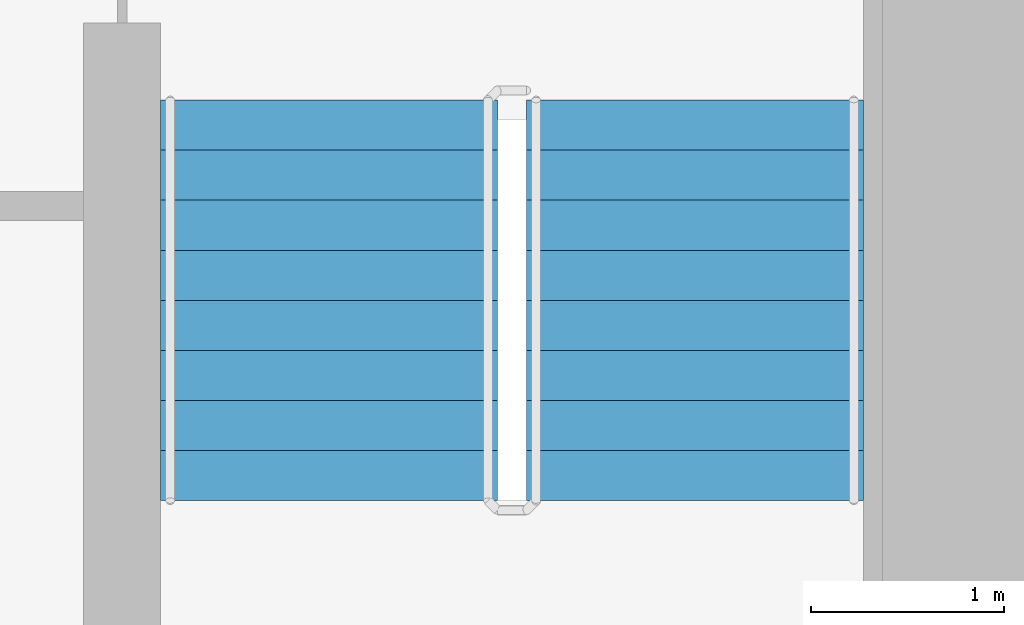
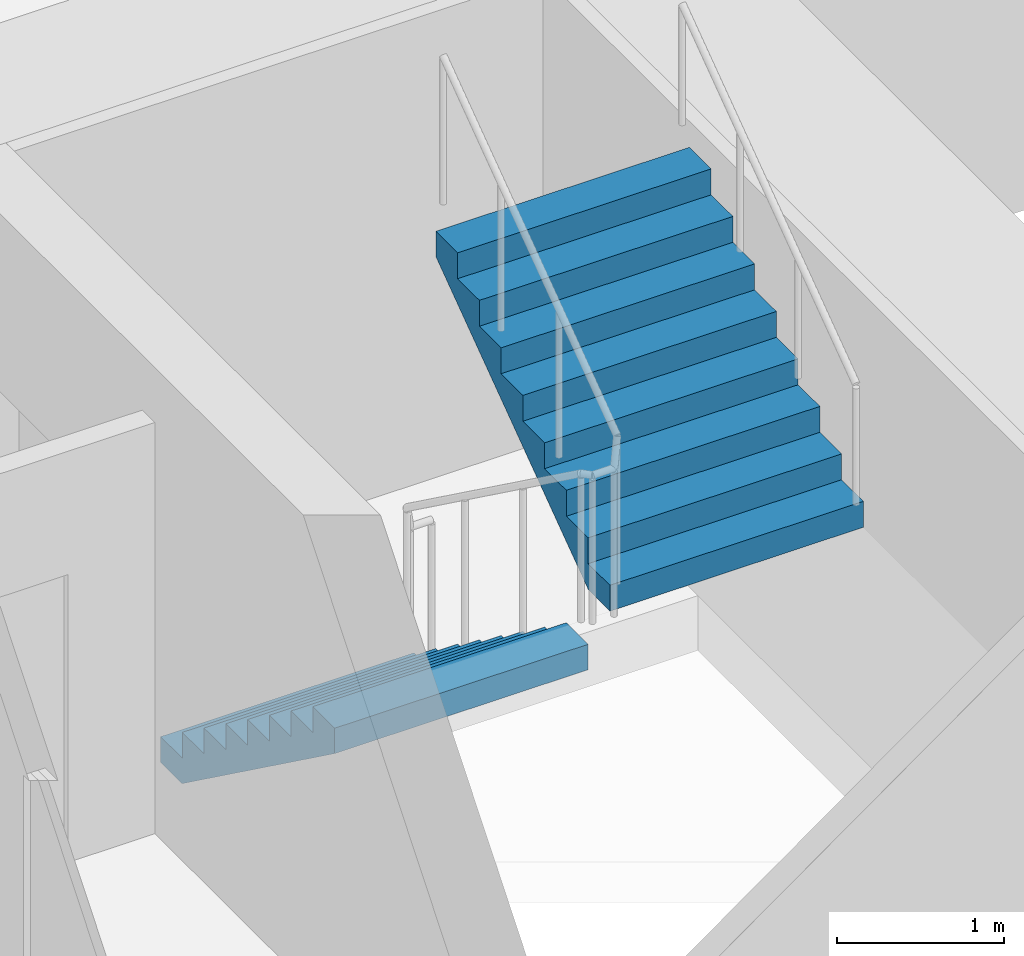
# One storey, part 19 of 22: 2 stair flights, 1 element without a shape of its own.
"""IFC4 building model written with IfcOpenShell, lengths in metres."""

from ifc_helpers import new_model, si_unit, direction, frame, origin, place, context, subcontext, project, spatial, faceted_brep, material, type_object, element, aggregate, save


model = new_model("IFC4")

# Units and contexts
model_context = context("Model", 3, precision=1e-05, world=origin(), true_north=direction((0.0, 1.0)))
body_context = subcontext(model_context, "Body", "Model", "MODEL_VIEW")
ifc_project = project(units=[si_unit("LENGTHUNIT", "METRE"), si_unit("AREAUNIT", "SQUARE_METRE"), si_unit("VOLUMEUNIT", "CUBIC_METRE"), si_unit("PLANEANGLEUNIT", "RADIAN"), si_unit("MASSUNIT", "GRAM", prefix="KILO")], contexts=[model_context])

# Site, building, storey
site_placement = place(None, origin())
site = spatial("IfcSite", under=ifc_project, at=site_placement, CompositionType="ELEMENT")
building_placement = place(site_placement, origin())
building = spatial("IfcBuilding", under=site, at=building_placement, Name="Ipe Terrace Towers", CompositionType="ELEMENT")
storey_placement = place(building_placement, frame((0.0, 0.0, 61.89990234375)))
storey = spatial("IfcBuildingStorey", under=building, at=storey_placement, Name="L16", CompositionType="ELEMENT", Elevation=61.89990234375)

# Stair, stair flights
ifc_material_1 = material(Name="Concrete C30/37", Category="concrete")
stair_type = type_object("IfcStairType", Name="Protected exit stair", PredefinedType="HALF_TURN_STAIR", material=ifc_material_1)
stair_placement = place(storey_placement, origin())
stair = element("IfcStair", 1, at=stair_placement, inside=storey, type_object=stair_type, Name="L16 Exit stair T2-C2", PredefinedType="HALF_TURN_STAIR")
ifc_material_2 = material(Name="Concrete C30/37", Category="concrete")
stair_flight_type = type_object("IfcStairFlightType", Name="Exit stair flight 1750", PredefinedType="STRAIGHT", material=ifc_material_2)
stair_flight_1_placement = place(storey_placement, frame((38.77490234375, -9.699951171875, 0.0), z_axis=(0.0, 0.0, 1.0), x_axis=(0.0, -1.0, 0.0)))
stair_flight_1 = element("IfcStairFlight", 2, at=stair_flight_1_placement, type_object=stair_flight_type, Name="T2-ST2 flight 1", NumberOfRisers=9, NumberOfTreads=8, PredefinedType="STRAIGHT", RiserHeight=0.188888889, TreadLength=0.26, context=body_context, shape_type="Brep", body=[
    faceted_brep([(0.255126953125, -0.875, 0.0), (2.080078125, -0.875, 1.325927734375), (2.080078125, -0.875, 1.51123046875), (1.820068359375, -0.875, 1.51123046875), (1.820068359375, -0.875, 1.322265625), (1.56005859375, -0.875, 1.322265625), (1.56005859375, -0.875, 1.13330078125), (1.300048828125, -0.875, 1.13330078125), (1.300048828125, -0.875, 0.9443359375), (1.0400390625, -0.875, 0.9443359375), (1.0400390625, -0.875, 0.755615234375), (0.780029296875, -0.875, 0.755615234375), (0.780029296875, -0.875, 0.566650390625), (0.52001953125, -0.875, 0.566650390625), (0.52001953125, -0.875, 0.377685546875), (0.260009765625, -0.875, 0.377685546875), (0.260009765625, -0.875, 0.18896484375), (0.0, -0.875, 0.18896484375), (0.0, -0.875, 0.0), (0.0, 0.875, 0.0), (0.0, 0.875, 0.18896484375), (0.260009765625, 0.875, 0.18896484375), (0.260009765625, 0.875, 0.377685546875), (0.52001953125, 0.875, 0.377685546875), (0.52001953125, 0.875, 0.566650390625), (0.780029296875, 0.875, 0.566650390625), (0.780029296875, 0.875, 0.755615234375), (1.0400390625, 0.875, 0.755615234375), (1.0400390625, 0.875, 0.9443359375), (1.300048828125, 0.875, 0.9443359375), (1.300048828125, 0.875, 1.13330078125), (1.56005859375, 0.875, 1.13330078125), (1.56005859375, 0.875, 1.322265625), (1.820068359375, 0.875, 1.322265625), (1.820068359375, 0.875, 1.51123046875), (2.080078125, 0.875, 1.51123046875), (2.080078125, 0.875, 1.325927734375), (0.255126953125, 0.875, 0.0), (0.0, -0.300048828125, 0.18896484375), (0.0, -0.1201171875, 0.18896484375), (0.0, -0.06005859375, 0.18896484375), (0.0, -0.030029296875, 0.18896484375), (0.0, -0.010009765625, 0.18896484375), (0.0, 0.0, 0.18896484375), (0.0, 0.010009765625, 0.18896484375), (0.0, 0.030029296875, 0.18896484375), (0.0, 0.06005859375, 0.18896484375), (0.0, 0.1201171875, 0.18896484375), (0.0, 0.300048828125, 0.18896484375), (0.0, 0.300048828125, 0.0), (0.0, 0.1201171875, 0.0), (0.0, 0.06005859375, 0.0), (0.0, 0.030029296875, 0.0), (0.0, 0.010009765625, 0.0), (0.0, 0.0, 0.0), (0.0, -0.010009765625, 0.0), (0.0, -0.030029296875, 0.0), (0.0, -0.06005859375, 0.0), (0.0, -0.1201171875, 0.0), (0.0, -0.300048828125, 0.0), (0.260009765625, -0.300048828125, 0.18896484375), (0.260009765625, -0.1201171875, 0.18896484375), (0.260009765625, -0.06005859375, 0.18896484375), (0.260009765625, -0.030029296875, 0.18896484375), (0.260009765625, -0.010009765625, 0.18896484375), (0.260009765625, 0.0, 0.18896484375), (0.260009765625, 0.010009765625, 0.18896484375), (0.260009765625, 0.030029296875, 0.18896484375), (0.260009765625, 0.06005859375, 0.18896484375), (0.260009765625, 0.1201171875, 0.18896484375), (0.260009765625, 0.300048828125, 0.18896484375), (0.260009765625, -0.300048828125, 0.377685546875), (0.260009765625, -0.1201171875, 0.377685546875), (0.260009765625, -0.06005859375, 0.377685546875), (0.260009765625, -0.030029296875, 0.377685546875), (0.260009765625, -0.010009765625, 0.377685546875), (0.260009765625, 0.0, 0.377685546875), (0.260009765625, 0.010009765625, 0.377685546875), (0.260009765625, 0.030029296875, 0.377685546875), (0.260009765625, 0.06005859375, 0.377685546875), (0.260009765625, 0.1201171875, 0.377685546875), (0.260009765625, 0.300048828125, 0.377685546875), (0.52001953125, -0.300048828125, 0.377685546875), (0.52001953125, -0.1201171875, 0.377685546875), (0.52001953125, -0.06005859375, 0.377685546875), (0.52001953125, -0.030029296875, 0.377685546875), (0.52001953125, -0.010009765625, 0.377685546875), (0.52001953125, 0.0, 0.377685546875), (0.52001953125, 0.010009765625, 0.377685546875), (0.52001953125, 0.030029296875, 0.377685546875), (0.52001953125, 0.06005859375, 0.377685546875), (0.52001953125, 0.1201171875, 0.377685546875), (0.52001953125, 0.300048828125, 0.377685546875), (0.52001953125, -0.300048828125, 0.566650390625), (0.52001953125, -0.1201171875, 0.566650390625), (0.52001953125, -0.06005859375, 0.566650390625), (0.52001953125, -0.030029296875, 0.566650390625), (0.52001953125, -0.010009765625, 0.566650390625), (0.52001953125, 0.0, 0.566650390625), (0.52001953125, 0.010009765625, 0.566650390625), (0.52001953125, 0.030029296875, 0.566650390625), (0.52001953125, 0.06005859375, 0.566650390625), (0.52001953125, 0.1201171875, 0.566650390625), (0.52001953125, 0.300048828125, 0.566650390625), (0.780029296875, -0.300048828125, 0.566650390625), (0.780029296875, -0.1201171875, 0.566650390625), (0.780029296875, -0.06005859375, 0.566650390625), (0.780029296875, -0.030029296875, 0.566650390625), (0.780029296875, -0.010009765625, 0.566650390625), (0.780029296875, 0.0, 0.566650390625), (0.780029296875, 0.010009765625, 0.566650390625), (0.780029296875, 0.030029296875, 0.566650390625), (0.780029296875, 0.06005859375, 0.566650390625), (0.780029296875, 0.1201171875, 0.566650390625), (0.780029296875, 0.300048828125, 0.566650390625), (0.780029296875, -0.300048828125, 0.755615234375), (0.780029296875, -0.1201171875, 0.755615234375), (0.780029296875, -0.06005859375, 0.755615234375), (0.780029296875, -0.030029296875, 0.755615234375), (0.780029296875, -0.010009765625, 0.755615234375), (0.780029296875, 0.0, 0.755615234375), (0.780029296875, 0.010009765625, 0.755615234375), (0.780029296875, 0.030029296875, 0.755615234375), (0.780029296875, 0.06005859375, 0.755615234375), (0.780029296875, 0.1201171875, 0.755615234375), (0.780029296875, 0.300048828125, 0.755615234375), (1.0400390625, -0.300048828125, 0.755615234375), (1.0400390625, -0.1201171875, 0.755615234375), (1.0400390625, -0.06005859375, 0.755615234375), (1.0400390625, -0.030029296875, 0.755615234375), (1.0400390625, -0.010009765625, 0.755615234375), (1.0400390625, 0.0, 0.755615234375), (1.0400390625, 0.010009765625, 0.755615234375), (1.0400390625, 0.030029296875, 0.755615234375), (1.0400390625, 0.06005859375, 0.755615234375), (1.0400390625, 0.1201171875, 0.755615234375), (1.0400390625, 0.300048828125, 0.755615234375), (1.0400390625, -0.300048828125, 0.9443359375), (1.0400390625, -0.1201171875, 0.9443359375), (1.0400390625, -0.06005859375, 0.9443359375), (1.0400390625, -0.030029296875, 0.9443359375), (1.0400390625, -0.010009765625, 0.9443359375), (1.0400390625, 0.0, 0.9443359375), (1.0400390625, 0.010009765625, 0.9443359375), (1.0400390625, 0.030029296875, 0.9443359375), (1.0400390625, 0.06005859375, 0.9443359375), (1.0400390625, 0.1201171875, 0.9443359375), (1.0400390625, 0.300048828125, 0.9443359375), (1.300048828125, -0.300048828125, 0.9443359375), (1.300048828125, -0.1201171875, 0.9443359375), (1.300048828125, -0.06005859375, 0.9443359375), (1.300048828125, -0.030029296875, 0.9443359375), (1.300048828125, -0.010009765625, 0.9443359375), (1.300048828125, 0.0, 0.9443359375), (1.300048828125, 0.010009765625, 0.9443359375), (1.300048828125, 0.030029296875, 0.9443359375), (1.300048828125, 0.06005859375, 0.9443359375), (1.300048828125, 0.1201171875, 0.9443359375), (1.300048828125, 0.300048828125, 0.9443359375), (1.300048828125, -0.300048828125, 1.13330078125), (1.300048828125, -0.1201171875, 1.13330078125), (1.300048828125, -0.06005859375, 1.13330078125), (1.300048828125, -0.030029296875, 1.13330078125), (1.300048828125, -0.010009765625, 1.13330078125), (1.300048828125, 0.0, 1.13330078125), (1.300048828125, 0.010009765625, 1.13330078125), (1.300048828125, 0.030029296875, 1.13330078125), (1.300048828125, 0.06005859375, 1.13330078125), (1.300048828125, 0.1201171875, 1.13330078125), (1.300048828125, 0.300048828125, 1.13330078125), (1.56005859375, -0.300048828125, 1.13330078125), (1.56005859375, -0.1201171875, 1.13330078125), (1.56005859375, -0.06005859375, 1.13330078125), (1.56005859375, -0.030029296875, 1.13330078125), (1.56005859375, -0.010009765625, 1.13330078125), (1.56005859375, 0.0, 1.13330078125), (1.56005859375, 0.010009765625, 1.13330078125), (1.56005859375, 0.030029296875, 1.13330078125), (1.56005859375, 0.06005859375, 1.13330078125), (1.56005859375, 0.1201171875, 1.13330078125), (1.56005859375, 0.300048828125, 1.13330078125), (1.56005859375, -0.300048828125, 1.322265625), (1.56005859375, -0.1201171875, 1.322265625), (1.56005859375, -0.06005859375, 1.322265625), (1.56005859375, -0.030029296875, 1.322265625), (1.56005859375, -0.010009765625, 1.322265625), (1.56005859375, 0.0, 1.322265625), (1.56005859375, 0.010009765625, 1.322265625), (1.56005859375, 0.030029296875, 1.322265625), (1.56005859375, 0.06005859375, 1.322265625), (1.56005859375, 0.1201171875, 1.322265625), (1.56005859375, 0.300048828125, 1.322265625), (1.820068359375, -0.300048828125, 1.322265625), (1.820068359375, -0.1201171875, 1.322265625), (1.820068359375, -0.06005859375, 1.322265625), (1.820068359375, -0.030029296875, 1.322265625), (1.820068359375, -0.010009765625, 1.322265625), (1.820068359375, 0.0, 1.322265625), (1.820068359375, 0.010009765625, 1.322265625), (1.820068359375, 0.030029296875, 1.322265625), (1.820068359375, 0.06005859375, 1.322265625), (1.820068359375, 0.1201171875, 1.322265625), (1.820068359375, 0.300048828125, 1.322265625), (1.820068359375, -0.300048828125, 1.51123046875), (1.820068359375, -0.1201171875, 1.51123046875), (1.820068359375, -0.06005859375, 1.51123046875), (1.820068359375, -0.030029296875, 1.51123046875), (1.820068359375, -0.010009765625, 1.51123046875), (1.820068359375, 0.0, 1.51123046875), (1.820068359375, 0.010009765625, 1.51123046875), (1.820068359375, 0.030029296875, 1.51123046875), (1.820068359375, 0.06005859375, 1.51123046875), (1.820068359375, 0.1201171875, 1.51123046875), (1.820068359375, 0.300048828125, 1.51123046875), (2.080078125, -0.300048828125, 1.51123046875), (2.080078125, -0.1201171875, 1.51123046875), (2.080078125, -0.06005859375, 1.51123046875), (2.080078125, -0.030029296875, 1.51123046875), (2.080078125, -0.010009765625, 1.51123046875), (2.080078125, 0.0, 1.51123046875), (2.080078125, 0.010009765625, 1.51123046875), (2.080078125, 0.030029296875, 1.51123046875), (2.080078125, 0.06005859375, 1.51123046875), (2.080078125, 0.1201171875, 1.51123046875), (2.080078125, 0.300048828125, 1.51123046875), (2.080078125, -0.300048828125, 1.325927734375), (2.080078125, -0.1201171875, 1.325927734375), (2.080078125, -0.06005859375, 1.325927734375), (2.080078125, -0.030029296875, 1.325927734375), (2.080078125, -0.010009765625, 1.325927734375), (2.080078125, 0.0, 1.325927734375), (2.080078125, 0.010009765625, 1.325927734375), (2.080078125, 0.030029296875, 1.325927734375), (2.080078125, 0.06005859375, 1.325927734375), (2.080078125, 0.1201171875, 1.325927734375), (2.080078125, 0.300048828125, 1.325927734375), (0.255126953125, -0.300048828125, 0.0), (0.255126953125, -0.1201171875, 0.0), (0.255126953125, -0.06005859375, 0.0), (0.255126953125, -0.030029296875, 0.0), (0.255126953125, -0.010009765625, 0.0), (0.255126953125, 0.0, 0.0), (0.255126953125, 0.010009765625, 0.0), (0.255126953125, 0.030029296875, 0.0), (0.255126953125, 0.06005859375, 0.0), (0.255126953125, 0.1201171875, 0.0), (0.255126953125, 0.300048828125, 0.0)], [[[0, 1, 2, 3, 4, 5, 6, 7, 8, 9, 10, 11, 12, 13, 14, 15, 16, 17, 18]], [[19, 20, 21, 22, 23, 24, 25, 26, 27, 28, 29, 30, 31, 32, 33, 34, 35, 36, 37]], [[17, 38, 39, 40, 41, 42, 43, 44, 45, 46, 47, 48, 20, 19, 49, 50, 51, 52, 53, 54, 55, 56, 57, 58, 59, 18]], [[16, 60, 61, 62, 63, 64, 65, 66, 67, 68, 69, 70, 21, 20, 48, 47, 46, 45, 44, 43, 42, 41, 40, 39, 38, 17]], [[15, 71, 72, 73, 74, 75, 76, 77, 78, 79, 80, 81, 22, 21, 70, 69, 68, 67, 66, 65, 64, 63, 62, 61, 60, 16]], [[14, 82, 83, 84, 85, 86, 87, 88, 89, 90, 91, 92, 23, 22, 81, 80, 79, 78, 77, 76, 75, 74, 73, 72, 71, 15]], [[13, 93, 94, 95, 96, 97, 98, 99, 100, 101, 102, 103, 24, 23, 92, 91, 90, 89, 88, 87, 86, 85, 84, 83, 82, 14]], [[12, 104, 105, 106, 107, 108, 109, 110, 111, 112, 113, 114, 25, 24, 103, 102, 101, 100, 99, 98, 97, 96, 95, 94, 93, 13]], [[11, 115, 116, 117, 118, 119, 120, 121, 122, 123, 124, 125, 26, 25, 114, 113, 112, 111, 110, 109, 108, 107, 106, 105, 104, 12]], [[10, 126, 127, 128, 129, 130, 131, 132, 133, 134, 135, 136, 27, 26, 125, 124, 123, 122, 121, 120, 119, 118, 117, 116, 115, 11]], [[9, 137, 138, 139, 140, 141, 142, 143, 144, 145, 146, 147, 28, 27, 136, 135, 134, 133, 132, 131, 130, 129, 128, 127, 126, 10]], [[8, 148, 149, 150, 151, 152, 153, 154, 155, 156, 157, 158, 29, 28, 147, 146, 145, 144, 143, 142, 141, 140, 139, 138, 137, 9]], [[7, 159, 160, 161, 162, 163, 164, 165, 166, 167, 168, 169, 30, 29, 158, 157, 156, 155, 154, 153, 152, 151, 150, 149, 148, 8]], [[6, 170, 171, 172, 173, 174, 175, 176, 177, 178, 179, 180, 31, 30, 169, 168, 167, 166, 165, 164, 163, 162, 161, 160, 159, 7]], [[5, 181, 182, 183, 184, 185, 186, 187, 188, 189, 190, 191, 32, 31, 180, 179, 178, 177, 176, 175, 174, 173, 172, 171, 170, 6]], [[4, 192, 193, 194, 195, 196, 197, 198, 199, 200, 201, 202, 33, 32, 191, 190, 189, 188, 187, 186, 185, 184, 183, 182, 181, 5]], [[3, 203, 204, 205, 206, 207, 208, 209, 210, 211, 212, 213, 34, 33, 202, 201, 200, 199, 198, 197, 196, 195, 194, 193, 192, 4]], [[2, 214, 215, 216, 217, 218, 219, 220, 221, 222, 223, 224, 35, 34, 213, 212, 211, 210, 209, 208, 207, 206, 205, 204, 203, 3]], [[1, 225, 226, 227, 228, 229, 230, 231, 232, 233, 234, 235, 36, 35, 224, 223, 222, 221, 220, 219, 218, 217, 216, 215, 214, 2]], [[0, 236, 237, 238, 239, 240, 241, 242, 243, 244, 245, 246, 37, 36, 235, 234, 233, 232, 231, 230, 229, 228, 227, 226, 225, 1]], [[18, 59, 58, 57, 56, 55, 54, 53, 52, 51, 50, 49, 19, 37, 246, 245, 244, 243, 242, 241, 240, 239, 238, 237, 236, 0]]]),
])
stair_flight_2_placement = place(storey_placement, frame((40.675048828125, -11.780029296875, 1.7001953125), z_axis=(0.0, 0.0, 1.0), x_axis=(0.0, 1.0, 0.0)))
stair_flight_2 = element("IfcStairFlight", 3, at=stair_flight_2_placement, type_object=stair_flight_type, Name="T2-ST2 flight 2", NumberOfRisers=9, NumberOfTreads=8, PredefinedType="STRAIGHT", RiserHeight=0.188888889, TreadLength=0.26, context=body_context, shape_type="Brep", body=[
    faceted_brep([(0.255126953125, -0.875, 0.0), (2.080078125, -0.875, 1.325927734375), (2.080078125, -0.875, 1.51123046875), (1.820068359375, -0.875, 1.51123046875), (1.820068359375, -0.875, 1.322265625), (1.56005859375, -0.875, 1.322265625), (1.56005859375, -0.875, 1.13330078125), (1.300048828125, -0.875, 1.13330078125), (1.300048828125, -0.875, 0.9443359375), (1.0400390625, -0.875, 0.9443359375), (1.0400390625, -0.875, 0.755615234375), (0.780029296875, -0.875, 0.755615234375), (0.780029296875, -0.875, 0.566650390625), (0.52001953125, -0.875, 0.566650390625), (0.52001953125, -0.875, 0.377685546875), (0.260009765625, -0.875, 0.377685546875), (0.260009765625, -0.875, 0.18896484375), (0.0, -0.875, 0.18896484375), (0.0, -0.875, 0.0), (0.0, 0.875, 0.0), (0.0, 0.875, 0.18896484375), (0.260009765625, 0.875, 0.18896484375), (0.260009765625, 0.875, 0.377685546875), (0.52001953125, 0.875, 0.377685546875), (0.52001953125, 0.875, 0.566650390625), (0.780029296875, 0.875, 0.566650390625), (0.780029296875, 0.875, 0.755615234375), (1.0400390625, 0.875, 0.755615234375), (1.0400390625, 0.875, 0.9443359375), (1.300048828125, 0.875, 0.9443359375), (1.300048828125, 0.875, 1.13330078125), (1.56005859375, 0.875, 1.13330078125), (1.56005859375, 0.875, 1.322265625), (1.820068359375, 0.875, 1.322265625), (1.820068359375, 0.875, 1.51123046875), (2.080078125, 0.875, 1.51123046875), (2.080078125, 0.875, 1.325927734375), (0.255126953125, 0.875, 0.0), (0.0, -0.300048828125, 0.18896484375), (0.0, -0.1201171875, 0.18896484375), (0.0, -0.06005859375, 0.18896484375), (0.0, -0.030029296875, 0.18896484375), (0.0, -0.010009765625, 0.18896484375), (0.0, 0.0, 0.18896484375), (0.0, 0.010009765625, 0.18896484375), (0.0, 0.030029296875, 0.18896484375), (0.0, 0.06005859375, 0.18896484375), (0.0, 0.1201171875, 0.18896484375), (0.0, 0.300048828125, 0.18896484375), (0.0, 0.300048828125, 0.0), (0.0, 0.1201171875, 0.0), (0.0, 0.06005859375, 0.0), (0.0, 0.030029296875, 0.0), (0.0, 0.010009765625, 0.0), (0.0, 0.0, 0.0), (0.0, -0.010009765625, 0.0), (0.0, -0.030029296875, 0.0), (0.0, -0.06005859375, 0.0), (0.0, -0.1201171875, 0.0), (0.0, -0.300048828125, 0.0), (0.260009765625, -0.300048828125, 0.18896484375), (0.260009765625, -0.1201171875, 0.18896484375), (0.260009765625, -0.06005859375, 0.18896484375), (0.260009765625, -0.030029296875, 0.18896484375), (0.260009765625, -0.010009765625, 0.18896484375), (0.260009765625, 0.0, 0.18896484375), (0.260009765625, 0.010009765625, 0.18896484375), (0.260009765625, 0.030029296875, 0.18896484375), (0.260009765625, 0.06005859375, 0.18896484375), (0.260009765625, 0.1201171875, 0.18896484375), (0.260009765625, 0.300048828125, 0.18896484375), (0.260009765625, -0.300048828125, 0.377685546875), (0.260009765625, -0.1201171875, 0.377685546875), (0.260009765625, -0.06005859375, 0.377685546875), (0.260009765625, -0.030029296875, 0.377685546875), (0.260009765625, -0.010009765625, 0.377685546875), (0.260009765625, 0.0, 0.377685546875), (0.260009765625, 0.010009765625, 0.377685546875), (0.260009765625, 0.030029296875, 0.377685546875), (0.260009765625, 0.06005859375, 0.377685546875), (0.260009765625, 0.1201171875, 0.377685546875), (0.260009765625, 0.300048828125, 0.377685546875), (0.52001953125, -0.300048828125, 0.377685546875), (0.52001953125, -0.1201171875, 0.377685546875), (0.52001953125, -0.06005859375, 0.377685546875), (0.52001953125, -0.030029296875, 0.377685546875), (0.52001953125, -0.010009765625, 0.377685546875), (0.52001953125, 0.0, 0.377685546875), (0.52001953125, 0.010009765625, 0.377685546875), (0.52001953125, 0.030029296875, 0.377685546875), (0.52001953125, 0.06005859375, 0.377685546875), (0.52001953125, 0.1201171875, 0.377685546875), (0.52001953125, 0.300048828125, 0.377685546875), (0.52001953125, -0.300048828125, 0.566650390625), (0.52001953125, -0.1201171875, 0.566650390625), (0.52001953125, -0.06005859375, 0.566650390625), (0.52001953125, -0.030029296875, 0.566650390625), (0.52001953125, -0.010009765625, 0.566650390625), (0.52001953125, 0.0, 0.566650390625), (0.52001953125, 0.010009765625, 0.566650390625), (0.52001953125, 0.030029296875, 0.566650390625), (0.52001953125, 0.06005859375, 0.566650390625), (0.52001953125, 0.1201171875, 0.566650390625), (0.52001953125, 0.300048828125, 0.566650390625), (0.780029296875, -0.300048828125, 0.566650390625), (0.780029296875, -0.1201171875, 0.566650390625), (0.780029296875, -0.06005859375, 0.566650390625), (0.780029296875, -0.030029296875, 0.566650390625), (0.780029296875, -0.010009765625, 0.566650390625), (0.780029296875, 0.0, 0.566650390625), (0.780029296875, 0.010009765625, 0.566650390625), (0.780029296875, 0.030029296875, 0.566650390625), (0.780029296875, 0.06005859375, 0.566650390625), (0.780029296875, 0.1201171875, 0.566650390625), (0.780029296875, 0.300048828125, 0.566650390625), (0.780029296875, -0.300048828125, 0.755615234375), (0.780029296875, -0.1201171875, 0.755615234375), (0.780029296875, -0.06005859375, 0.755615234375), (0.780029296875, -0.030029296875, 0.755615234375), (0.780029296875, -0.010009765625, 0.755615234375), (0.780029296875, 0.0, 0.755615234375), (0.780029296875, 0.010009765625, 0.755615234375), (0.780029296875, 0.030029296875, 0.755615234375), (0.780029296875, 0.06005859375, 0.755615234375), (0.780029296875, 0.1201171875, 0.755615234375), (0.780029296875, 0.300048828125, 0.755615234375), (1.0400390625, -0.300048828125, 0.755615234375), (1.0400390625, -0.1201171875, 0.755615234375), (1.0400390625, -0.06005859375, 0.755615234375), (1.0400390625, -0.030029296875, 0.755615234375), (1.0400390625, -0.010009765625, 0.755615234375), (1.0400390625, 0.0, 0.755615234375), (1.0400390625, 0.010009765625, 0.755615234375), (1.0400390625, 0.030029296875, 0.755615234375), (1.0400390625, 0.06005859375, 0.755615234375), (1.0400390625, 0.1201171875, 0.755615234375), (1.0400390625, 0.300048828125, 0.755615234375), (1.0400390625, -0.300048828125, 0.9443359375), (1.0400390625, -0.1201171875, 0.9443359375), (1.0400390625, -0.06005859375, 0.9443359375), (1.0400390625, -0.030029296875, 0.9443359375), (1.0400390625, -0.010009765625, 0.9443359375), (1.0400390625, 0.0, 0.9443359375), (1.0400390625, 0.010009765625, 0.9443359375), (1.0400390625, 0.030029296875, 0.9443359375), (1.0400390625, 0.06005859375, 0.9443359375), (1.0400390625, 0.1201171875, 0.9443359375), (1.0400390625, 0.300048828125, 0.9443359375), (1.300048828125, -0.300048828125, 0.9443359375), (1.300048828125, -0.1201171875, 0.9443359375), (1.300048828125, -0.06005859375, 0.9443359375), (1.300048828125, -0.030029296875, 0.9443359375), (1.300048828125, -0.010009765625, 0.9443359375), (1.300048828125, 0.0, 0.9443359375), (1.300048828125, 0.010009765625, 0.9443359375), (1.300048828125, 0.030029296875, 0.9443359375), (1.300048828125, 0.06005859375, 0.9443359375), (1.300048828125, 0.1201171875, 0.9443359375), (1.300048828125, 0.300048828125, 0.9443359375), (1.300048828125, -0.300048828125, 1.13330078125), (1.300048828125, -0.1201171875, 1.13330078125), (1.300048828125, -0.06005859375, 1.13330078125), (1.300048828125, -0.030029296875, 1.13330078125), (1.300048828125, -0.010009765625, 1.13330078125), (1.300048828125, 0.0, 1.13330078125), (1.300048828125, 0.010009765625, 1.13330078125), (1.300048828125, 0.030029296875, 1.13330078125), (1.300048828125, 0.06005859375, 1.13330078125), (1.300048828125, 0.1201171875, 1.13330078125), (1.300048828125, 0.300048828125, 1.13330078125), (1.56005859375, -0.300048828125, 1.13330078125), (1.56005859375, -0.1201171875, 1.13330078125), (1.56005859375, -0.06005859375, 1.13330078125), (1.56005859375, -0.030029296875, 1.13330078125), (1.56005859375, -0.010009765625, 1.13330078125), (1.56005859375, 0.0, 1.13330078125), (1.56005859375, 0.010009765625, 1.13330078125), (1.56005859375, 0.030029296875, 1.13330078125), (1.56005859375, 0.06005859375, 1.13330078125), (1.56005859375, 0.1201171875, 1.13330078125), (1.56005859375, 0.300048828125, 1.13330078125), (1.56005859375, -0.300048828125, 1.322265625), (1.56005859375, -0.1201171875, 1.322265625), (1.56005859375, -0.06005859375, 1.322265625), (1.56005859375, -0.030029296875, 1.322265625), (1.56005859375, -0.010009765625, 1.322265625), (1.56005859375, 0.0, 1.322265625), (1.56005859375, 0.010009765625, 1.322265625), (1.56005859375, 0.030029296875, 1.322265625), (1.56005859375, 0.06005859375, 1.322265625), (1.56005859375, 0.1201171875, 1.322265625), (1.56005859375, 0.300048828125, 1.322265625), (1.820068359375, -0.300048828125, 1.322265625), (1.820068359375, -0.1201171875, 1.322265625), (1.820068359375, -0.06005859375, 1.322265625), (1.820068359375, -0.030029296875, 1.322265625), (1.820068359375, -0.010009765625, 1.322265625), (1.820068359375, 0.0, 1.322265625), (1.820068359375, 0.010009765625, 1.322265625), (1.820068359375, 0.030029296875, 1.322265625), (1.820068359375, 0.06005859375, 1.322265625), (1.820068359375, 0.1201171875, 1.322265625), (1.820068359375, 0.300048828125, 1.322265625), (1.820068359375, -0.300048828125, 1.51123046875), (1.820068359375, -0.1201171875, 1.51123046875), (1.820068359375, -0.06005859375, 1.51123046875), (1.820068359375, -0.030029296875, 1.51123046875), (1.820068359375, -0.010009765625, 1.51123046875), (1.820068359375, 0.0, 1.51123046875), (1.820068359375, 0.010009765625, 1.51123046875), (1.820068359375, 0.030029296875, 1.51123046875), (1.820068359375, 0.06005859375, 1.51123046875), (1.820068359375, 0.1201171875, 1.51123046875), (1.820068359375, 0.300048828125, 1.51123046875), (2.080078125, -0.300048828125, 1.51123046875), (2.080078125, -0.1201171875, 1.51123046875), (2.080078125, -0.06005859375, 1.51123046875), (2.080078125, -0.030029296875, 1.51123046875), (2.080078125, -0.010009765625, 1.51123046875), (2.080078125, 0.0, 1.51123046875), (2.080078125, 0.010009765625, 1.51123046875), (2.080078125, 0.030029296875, 1.51123046875), (2.080078125, 0.06005859375, 1.51123046875), (2.080078125, 0.1201171875, 1.51123046875), (2.080078125, 0.300048828125, 1.51123046875), (2.080078125, -0.300048828125, 1.325927734375), (2.080078125, -0.1201171875, 1.325927734375), (2.080078125, -0.06005859375, 1.325927734375), (2.080078125, -0.030029296875, 1.325927734375), (2.080078125, -0.010009765625, 1.325927734375), (2.080078125, 0.0, 1.325927734375), (2.080078125, 0.010009765625, 1.325927734375), (2.080078125, 0.030029296875, 1.325927734375), (2.080078125, 0.06005859375, 1.325927734375), (2.080078125, 0.1201171875, 1.325927734375), (2.080078125, 0.300048828125, 1.325927734375), (0.255126953125, -0.300048828125, 0.0), (0.255126953125, -0.1201171875, 0.0), (0.255126953125, -0.06005859375, 0.0), (0.255126953125, -0.030029296875, 0.0), (0.255126953125, -0.010009765625, 0.0), (0.255126953125, 0.0, 0.0), (0.255126953125, 0.010009765625, 0.0), (0.255126953125, 0.030029296875, 0.0), (0.255126953125, 0.06005859375, 0.0), (0.255126953125, 0.1201171875, 0.0), (0.255126953125, 0.300048828125, 0.0)], [[[0, 1, 2, 3, 4, 5, 6, 7, 8, 9, 10, 11, 12, 13, 14, 15, 16, 17, 18]], [[19, 20, 21, 22, 23, 24, 25, 26, 27, 28, 29, 30, 31, 32, 33, 34, 35, 36, 37]], [[17, 38, 39, 40, 41, 42, 43, 44, 45, 46, 47, 48, 20, 19, 49, 50, 51, 52, 53, 54, 55, 56, 57, 58, 59, 18]], [[16, 60, 61, 62, 63, 64, 65, 66, 67, 68, 69, 70, 21, 20, 48, 47, 46, 45, 44, 43, 42, 41, 40, 39, 38, 17]], [[15, 71, 72, 73, 74, 75, 76, 77, 78, 79, 80, 81, 22, 21, 70, 69, 68, 67, 66, 65, 64, 63, 62, 61, 60, 16]], [[14, 82, 83, 84, 85, 86, 87, 88, 89, 90, 91, 92, 23, 22, 81, 80, 79, 78, 77, 76, 75, 74, 73, 72, 71, 15]], [[13, 93, 94, 95, 96, 97, 98, 99, 100, 101, 102, 103, 24, 23, 92, 91, 90, 89, 88, 87, 86, 85, 84, 83, 82, 14]], [[12, 104, 105, 106, 107, 108, 109, 110, 111, 112, 113, 114, 25, 24, 103, 102, 101, 100, 99, 98, 97, 96, 95, 94, 93, 13]], [[11, 115, 116, 117, 118, 119, 120, 121, 122, 123, 124, 125, 26, 25, 114, 113, 112, 111, 110, 109, 108, 107, 106, 105, 104, 12]], [[10, 126, 127, 128, 129, 130, 131, 132, 133, 134, 135, 136, 27, 26, 125, 124, 123, 122, 121, 120, 119, 118, 117, 116, 115, 11]], [[9, 137, 138, 139, 140, 141, 142, 143, 144, 145, 146, 147, 28, 27, 136, 135, 134, 133, 132, 131, 130, 129, 128, 127, 126, 10]], [[8, 148, 149, 150, 151, 152, 153, 154, 155, 156, 157, 158, 29, 28, 147, 146, 145, 144, 143, 142, 141, 140, 139, 138, 137, 9]], [[7, 159, 160, 161, 162, 163, 164, 165, 166, 167, 168, 169, 30, 29, 158, 157, 156, 155, 154, 153, 152, 151, 150, 149, 148, 8]], [[6, 170, 171, 172, 173, 174, 175, 176, 177, 178, 179, 180, 31, 30, 169, 168, 167, 166, 165, 164, 163, 162, 161, 160, 159, 7]], [[5, 181, 182, 183, 184, 185, 186, 187, 188, 189, 190, 191, 32, 31, 180, 179, 178, 177, 176, 175, 174, 173, 172, 171, 170, 6]], [[4, 192, 193, 194, 195, 196, 197, 198, 199, 200, 201, 202, 33, 32, 191, 190, 189, 188, 187, 186, 185, 184, 183, 182, 181, 5]], [[3, 203, 204, 205, 206, 207, 208, 209, 210, 211, 212, 213, 34, 33, 202, 201, 200, 199, 198, 197, 196, 195, 194, 193, 192, 4]], [[2, 214, 215, 216, 217, 218, 219, 220, 221, 222, 223, 224, 35, 34, 213, 212, 211, 210, 209, 208, 207, 206, 205, 204, 203, 3]], [[1, 225, 226, 227, 228, 229, 230, 231, 232, 233, 234, 235, 36, 35, 224, 223, 222, 221, 220, 219, 218, 217, 216, 215, 214, 2]], [[0, 236, 237, 238, 239, 240, 241, 242, 243, 244, 245, 246, 37, 36, 235, 234, 233, 232, 231, 230, 229, 228, 227, 226, 225, 1]], [[18, 59, 58, 57, 56, 55, 54, 53, 52, 51, 50, 49, 19, 37, 246, 245, 244, 243, 242, 241, 240, 239, 238, 237, 236, 0]]]),
])
aggregate(stair, [stair_flight_1, stair_flight_2])

save(model, "model.ifc")
